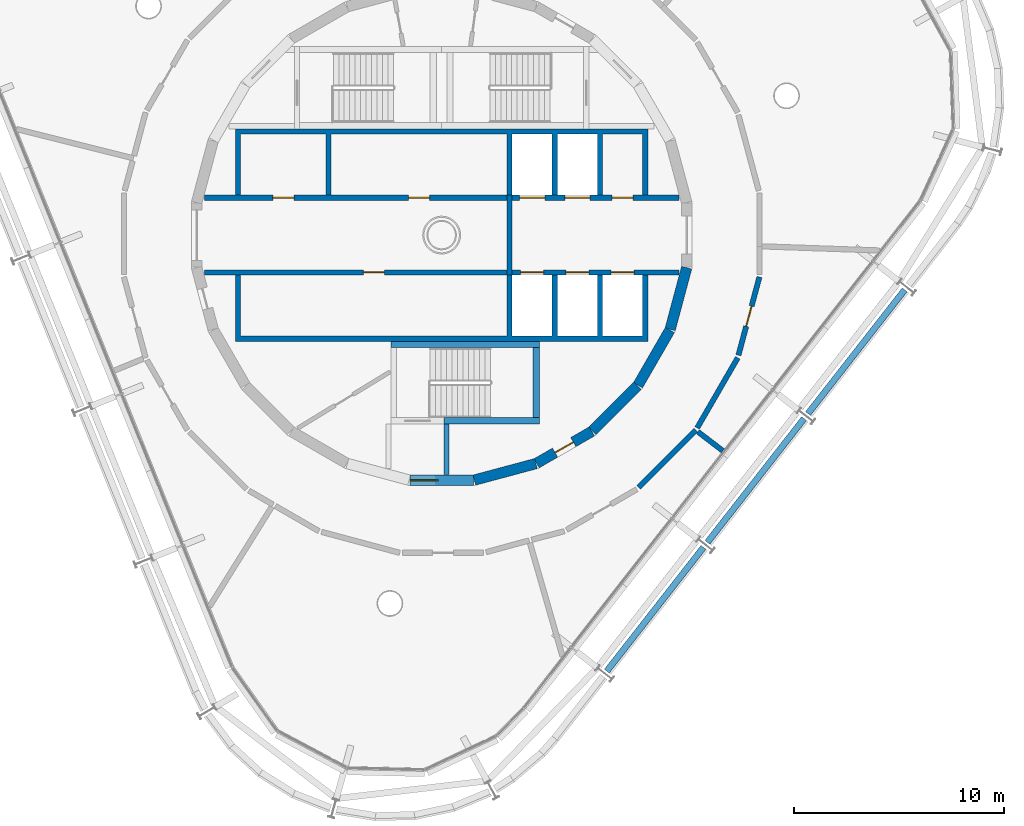
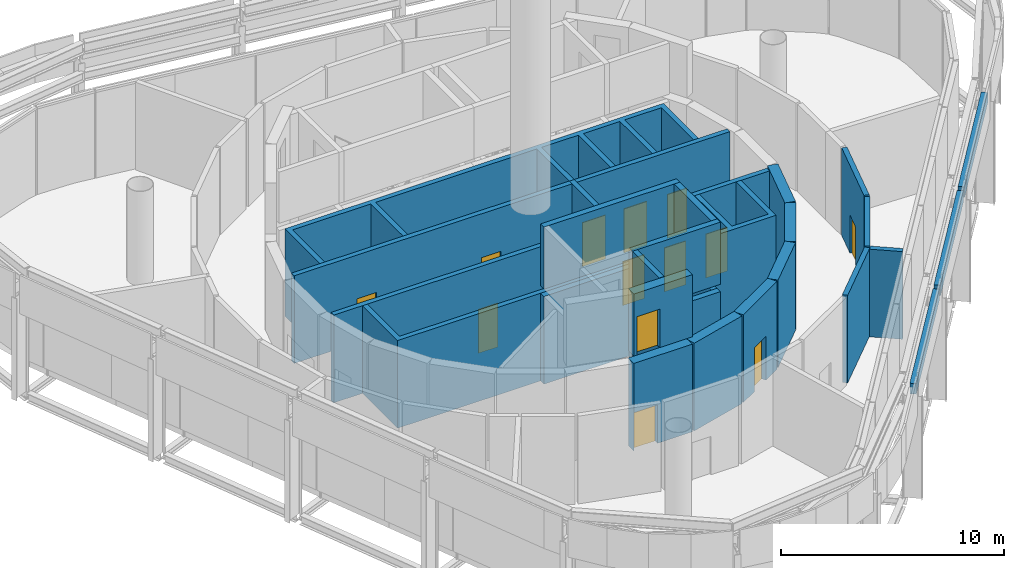
# One storey, part 10 of 15: 29 walls, 13 doors, 13 openings.
"""IFC4 building model written with IfcOpenShell, lengths in metres."""

from ifc_helpers import new_model, si_unit, direction, frame, frame_2d, origin, place, context, subcontext, project, spatial, polyline, rectangle, outline, extrude, material, layer, layer_set, type_object, element, fill, save


model = new_model("IFC4")

# Units and contexts
model_context = context("Model", 3, precision=1e-05, world=origin(), true_north=direction((0.0, 1.0)))
body_context = subcontext(model_context, "Body", "Model", "MODEL_VIEW")
ifc_project = project(units=[si_unit("LENGTHUNIT", "METRE"), si_unit("AREAUNIT", "SQUARE_METRE"), si_unit("VOLUMEUNIT", "CUBIC_METRE"), si_unit("PLANEANGLEUNIT", "RADIAN"), si_unit("MASSUNIT", "GRAM", prefix="KILO")], contexts=[model_context])

# Site, building, storey
site_placement = place(None, origin())
site = spatial("IfcSite", under=ifc_project, at=site_placement, CompositionType="ELEMENT")
building_placement = place(site_placement, origin())
building = spatial("IfcBuilding", under=site, at=building_placement, Name="Spindle Arch Residences", CompositionType="ELEMENT")
storey_placement = place(building_placement, frame((0.0, 0.0, 366.199951171875)))
storey = spatial("IfcBuildingStorey", under=building, at=storey_placement, Name="L94", CompositionType="ELEMENT", Elevation=366.199951171875)

# Wall
ifc_material_1 = material(Name="Concrete C50/60", Category="concrete")
ifc_layer_1 = layer(ifc_material_1, 0.5)
ifc_layer_set_1 = layer_set([ifc_layer_1], Name="Core outline wall 500")
wall_type_1 = type_object("IfcWallType", Name="Core outline wall 500", PredefinedType="SHEAR", material=ifc_layer_set_1)
wall_1_placement = place(storey_placement, frame((1.5498046875, -11.642822265625, 0.0), z_axis=(0.0, 0.0, 1.0), x_axis=(0.965948410781, 0.258734743916, 0.0)))
element("IfcWall", 1, at=wall_1_placement, inside=storey, type_object=wall_type_1, Name="Core outline wall 1", PredefinedType="SHEAR", context=body_context, shape_type="SweptSolid", body=[
    extrude(rectangle(XDim=3.03271484375, YDim=0.5, at=frame_2d((1.516357421875, 0.0))), origin(), (0.0, 0.0, 1.0), 4.800048828125),
])

# Wall, opening, door
wall_2_placement = place(storey_placement, frame((4.510498046875, -10.84521484375, 0.0), z_axis=(0.0, 0.0, 1.0), x_axis=(0.865975092491, 0.500087131594, 0.0)))
wall_2 = element("IfcWall", 2, at=wall_2_placement, inside=storey, type_object=wall_type_1, Name="Core outline wall 2", PredefinedType="SHEAR", context=body_context, shape_type="SweptSolid", body=[
    extrude(rectangle(XDim=3.03271484375, YDim=0.5, at=frame_2d((1.516357421875, 0.0))), origin(), (0.0, 0.0, 1.0), 4.800048828125),
])
opening_1_placement = place(wall_2_placement, frame((1.016357421875, 0.0, 0.0)))
opening_1 = element("IfcOpeningElement", 3, at=opening_1_placement, cuts=wall_2, Name="Opening L94-PD08", PredefinedType="OPENING", context=body_context, shape_type="SweptSolid", body=[
    extrude(rectangle(XDim=1.0, YDim=2.39990234375, at=frame_2d((0.5, 1.199951171875))), frame((0.0, 0.260009765625, 0.0), z_axis=(0.0, -1.0, 0.0), x_axis=(1.0, 0.0, 0.0)), (0.0, 0.0, 1.0), 0.52001953125),
])
ifc_material_2 = material(Name="Steel, fire-resisting door", Category="steel")
door_type_1 = type_object("IfcDoorType", Name="Plant room door 1000x2400", OperationType="SINGLE_SWING_LEFT", PredefinedType="DOOR", material=ifc_material_2)
door_1_placement = place(opening_1_placement, origin())
door_1 = element("IfcDoor", 4, at=door_1_placement, inside=storey, type_object=door_type_1, Name="Plant room door L94-PD08", OperationType="SINGLE_SWING_LEFT", OverallHeight=2.39990234375, OverallWidth=1.0, PredefinedType="DOOR", context=body_context, shape_type="SweptSolid", body=[
    extrude(rectangle(XDim=1.0, YDim=2.39990234375, at=frame_2d((0.5, 1.199951171875))), frame((0.0, 0.02490234375, 0.0), z_axis=(0.0, -1.0, 0.0), x_axis=(1.0, 0.0, 0.0)), (0.0, 0.0, 1.0), 0.050048828125),
])
fill(opening_1, door_1)

# Walls
wall_3_placement = place(storey_placement, frame((7.163818359375, -9.30810546875, 0.0), z_axis=(0.0, 0.0, 1.0), x_axis=(0.707106781187, 0.707106781187, 0.0)))
element("IfcWall", 5, at=wall_3_placement, inside=storey, type_object=wall_type_1, Name="Core outline wall 3", PredefinedType="SHEAR", context=body_context, shape_type="SweptSolid", body=[
    extrude(rectangle(XDim=3.032470703125, YDim=0.5, at=frame_2d((1.51611328125, 0.0))), origin(), (0.0, 0.0, 1.0), 4.800048828125),
])
for number, where, z_axis, x_axis, name in (
    (6, (9.32861328125, -7.13671875, 0.0), (0.0, 0.0, 1.0), (0.500087131594, 0.865975092491, 0.0), "Core outline wall 4"),
    (7, (10.858154296875, -4.479248046875, 0.0), (0.0, 0.0, 1.0), (0.258734743916, 0.965948410781, 0.0), "Core outline wall 5"),
):
    element("IfcWall", number, at=place(storey_placement, frame(where, z_axis=z_axis, x_axis=x_axis)), inside=storey, type_object=wall_type_1, Name=name, PredefinedType="SHEAR", context=body_context, shape_type="SweptSolid", body=[
        extrude(rectangle(XDim=3.03271484375, YDim=0.5, at=frame_2d((1.516357421875, 0.0))), origin(), (0.0, 0.0, 1.0), 4.800048828125),
    ])

# Wall, opening, door
wall_4_placement = place(storey_placement, frame((-1.516357421875, -11.647216796875, 0.0), z_axis=(0.0, 0.0, 1.0), x_axis=(1.0, 0.0, 0.0)))
wall_4 = element("IfcWall", 8, at=wall_4_placement, inside=storey, type_object=wall_type_1, Name="Core outline wall 24", PredefinedType="SHEAR", context=body_context, shape_type="SweptSolid", body=[
    extrude(rectangle(XDim=3.03271484375, YDim=0.5, at=frame_2d((1.516357421875, 0.0))), origin(), (0.0, 0.0, 1.0), 4.800048828125),
])
opening_2_placement = place(wall_4_placement, frame((0.016357421875, 0.0, 0.0)))
opening_2 = element("IfcOpeningElement", 9, at=opening_2_placement, cuts=wall_4, Name="Opening L94-AD03", PredefinedType="OPENING", context=body_context, shape_type="SweptSolid", body=[
    extrude(rectangle(XDim=1.199951171875, YDim=2.10009765625, at=frame_2d((0.60009765625, 1.050048828125))), frame((0.0, 0.260009765625, 0.0), z_axis=(0.0, -1.0, 0.0), x_axis=(1.0, 0.0, 0.0)), (0.0, 0.0, 1.0), 0.52001953125),
])
ifc_material_3 = material(Name="Steel, fire-resisting door", Category="steel")
door_type_2 = type_object("IfcDoorType", Name="Stair airlock door 1200x2100", OperationType="SINGLE_SWING_LEFT", PredefinedType="DOOR", material=ifc_material_3)
door_2_placement = place(opening_2_placement, origin())
door_2 = element("IfcDoor", 10, at=door_2_placement, inside=storey, type_object=door_type_2, Name="Stair airlock door L94-AD03", OperationType="SINGLE_SWING_RIGHT", OverallHeight=2.10009765625, OverallWidth=1.199951171875, PredefinedType="DOOR", context=body_context, shape_type="SweptSolid", body=[
    extrude(rectangle(XDim=1.199951171875, YDim=2.10009765625, at=frame_2d((0.60009765625, 1.050048828125))), frame((0.0, 0.02490234375, 0.0), z_axis=(0.0, -1.0, 0.0), x_axis=(1.0, 0.0, 0.0)), (0.0, 0.0, 1.0), 0.050048828125),
])
fill(opening_2, door_2)

wall_5_placement = place(storey_placement, frame((-1.516357421875, -11.647216796875, 5.199951171875), z_axis=(0.0, 0.0, 1.0), x_axis=(1.0, 0.0, 0.0)))
wall_5 = element("IfcWall", 11, at=wall_5_placement, inside=storey, type_object=wall_type_1, Name="Head-house ST-3 outer wall", PredefinedType="SHEAR", context=body_context, shape_type="SweptSolid", body=[
    extrude(rectangle(XDim=3.03271484375, YDim=0.5, at=frame_2d((1.516357421875, 0.0))), origin(), (0.0, 0.0, 1.0), 3.400146484375),
])
opening_3_placement = place(wall_5_placement, frame((0.14990234375, 0.0, 0.0)))
opening_3 = element("IfcOpeningElement", 12, at=opening_3_placement, cuts=wall_5, Name="Opening L94-RD03", PredefinedType="OPENING", context=body_context, shape_type="SweptSolid", body=[
    extrude(rectangle(XDim=1.199951171875, YDim=2.10009765625, at=frame_2d((0.60009765625, 1.050048828125))), frame((0.0, 0.260009765625, 0.0), z_axis=(0.0, -1.0, 0.0), x_axis=(1.0, 0.0, 0.0)), (0.0, 0.0, 1.0), 0.52001953125),
])
ifc_material_4 = material(Name="Steel, fire-resisting door", Category="steel")
door_type_3 = type_object("IfcDoorType", Name="Roof exit door 1200x2100", OperationType="SINGLE_SWING_LEFT", PredefinedType="DOOR", material=ifc_material_4)
door_3_placement = place(opening_3_placement, origin())
door_3 = element("IfcDoor", 13, at=door_3_placement, inside=storey, type_object=door_type_3, Name="Roof exit door L94-RD03", OperationType="SINGLE_SWING_LEFT", OverallHeight=2.10009765625, OverallWidth=1.199951171875, PredefinedType="DOOR", context=body_context, shape_type="SweptSolid", body=[
    extrude(rectangle(XDim=1.199951171875, YDim=2.10009765625, at=frame_2d((0.60009765625, 1.050048828125))), frame((0.0, 0.02490234375, 0.0), z_axis=(0.0, -1.0, 0.0), x_axis=(1.0, 0.0, 0.0)), (0.0, 0.0, 1.0), 0.050048828125),
])
fill(opening_3, door_3)

# Walls
ifc_material_5 = material(Name="Concrete C40/50", Category="concrete")
ifc_layer_2 = layer(ifc_material_5, 0.300048828125)
ifc_layer_set_2 = layer_set([ifc_layer_2], Name="Crown parapet infill 580")
wall_type_2 = type_object("IfcWallType", Name="Crown parapet infill 580", PredefinedType="PARAPET", material=ifc_layer_set_2)
wall_6_placement = place(storey_placement, frame((17.406494140625, -8.481689453125, 5.199951171875), z_axis=(0.0, 0.0, 1.0), x_axis=(0.615664349679, 0.788008507907, 0.0)))
element("IfcWall", 14, at=wall_6_placement, inside=storey, type_object=wall_type_2, Name="Crown parapet infill 1.1", PredefinedType="PARAPET", context=body_context, shape_type="SweptSolid", body=[
    extrude(rectangle(XDim=7.46533203125, YDim=0.300048828125, at=frame_2d((3.732666015625, 0.0))), origin(), (0.0, 0.0, 1.0), 0.580078125),
])
for number, where, z_axis, x_axis, name in (
    (15, (7.844482421875, -20.720458984375, 5.199951171875), (0.0, 0.0, 1.0), (0.615684656159, 0.787992642206, 0.0), "Crown parapet infill 19.1"),
    (16, (12.62548828125, -14.601318359375, 5.199951171875), (0.0, 0.0, 1.0), (0.615648484204, 0.788020903211, 0.0), "Crown parapet infill 20.1"),
):
    element("IfcWall", number, at=place(storey_placement, frame(where, z_axis=z_axis, x_axis=x_axis)), inside=storey, type_object=wall_type_2, Name=name, PredefinedType="PARAPET", context=body_context, shape_type="SweptSolid", body=[
        extrude(rectangle(XDim=7.465576171875, YDim=0.300048828125, at=frame_2d((3.73291015625, 0.0))), origin(), (0.0, 0.0, 1.0), 0.580078125),
    ])

# Wall, openings, doors
ifc_material_6 = material(Name="Concrete C40/50", Category="concrete")
ifc_layer_3 = layer(ifc_material_6, 0.25)
ifc_layer_set_3 = layer_set([ifc_layer_3], Name="Fire-lift lobby wall 250")
wall_type_3 = type_object("IfcWallType", Name="Fire-lift lobby wall 250", PredefinedType="SHEAR", material=ifc_layer_set_3)
wall_7_placement = place(storey_placement, frame((3.35009765625, 1.77490234375, 0.0), z_axis=(0.0, 0.0, 1.0), x_axis=(1.0, 0.0, 0.0)))
wall_7 = element("IfcWall", 17, at=wall_7_placement, inside=storey, type_object=wall_type_3, Name="Lift shaft front wall NE", PredefinedType="SHEAR", context=body_context, shape_type="SweptSolid", body=[
    extrude(rectangle(XDim=7.929931640625, YDim=0.25, at=frame_2d((3.96484375, 0.0))), origin(), (0.0, 0.0, 1.0), 4.800048828125),
])
opening_4_placement = place(wall_7_placement, frame((0.35009765625, 0.0, 0.0)))
opening_4 = element("IfcOpeningElement", 18, at=opening_4_placement, cuts=wall_7, Name="Opening L94-SLD01", PredefinedType="OPENING", context=body_context, shape_type="SweptSolid", body=[
    extrude(rectangle(XDim=1.199951171875, YDim=2.39990234375, at=frame_2d((0.60009765625, 1.199951171875))), frame((0.0, 0.135009765625, 0.0), z_axis=(0.0, -1.0, 0.0), x_axis=(1.0, 0.0, 0.0)), (0.0, 0.0, 1.0), 0.27001953125),
])
opening_5_placement = place(wall_7_placement, frame((2.5, 0.0, 0.0)))
opening_5 = element("IfcOpeningElement", 19, at=opening_5_placement, cuts=wall_7, Name="Opening L94-SLD02", PredefinedType="OPENING", context=body_context, shape_type="SweptSolid", body=[
    extrude(rectangle(XDim=1.199951171875, YDim=2.39990234375, at=frame_2d((0.60009765625, 1.199951171875))), frame((0.0, 0.135009765625, 0.0), z_axis=(0.0, -1.0, 0.0), x_axis=(1.0, 0.0, 0.0)), (0.0, 0.0, 1.0), 0.27001953125),
])
opening_6_placement = place(wall_7_placement, frame((4.75, 0.0, 0.0)))
opening_6 = element("IfcOpeningElement", 20, at=opening_6_placement, cuts=wall_7, Name="Opening L94-PD03", PredefinedType="OPENING", context=body_context, shape_type="SweptSolid", body=[
    extrude(rectangle(XDim=1.0, YDim=2.39990234375, at=frame_2d((0.5, 1.199951171875))), frame((0.0, 0.135009765625, 0.0), z_axis=(0.0, -1.0, 0.0), x_axis=(1.0, 0.0, 0.0)), (0.0, 0.0, 1.0), 0.27001953125),
])
door_4_placement = place(opening_6_placement, origin())
door_4 = element("IfcDoor", 21, at=door_4_placement, inside=storey, type_object=door_type_1, Name="Plant room door L94-PD03", OperationType="SINGLE_SWING_RIGHT", OverallHeight=2.39990234375, OverallWidth=1.0, PredefinedType="DOOR", context=body_context, shape_type="SweptSolid", body=[
    extrude(rectangle(XDim=1.0, YDim=2.39990234375, at=frame_2d((0.5, 1.199951171875))), frame((0.0, 0.02490234375, 0.0), z_axis=(0.0, -1.0, 0.0), x_axis=(1.0, 0.0, 0.0)), (0.0, 0.0, 1.0), 0.050048828125),
])
fill(opening_6, door_4)
ifc_material_7 = material(Name="Steel, fire-resisting landing door", Category="steel")
door_type_4 = type_object("IfcDoorType", Name="Service lift landing door 1200x2400", OperationType="DOUBLE_DOOR_SLIDING", PredefinedType="DOOR", material=ifc_material_7)
door_5_placement = place(opening_4_placement, origin())
door_5 = element("IfcDoor", 22, at=door_5_placement, inside=storey, type_object=door_type_4, Name="Service lift landing door L94-SLD01", OperationType="DOUBLE_DOOR_SLIDING", OverallHeight=2.39990234375, OverallWidth=1.199951171875, PredefinedType="DOOR", context=body_context, shape_type="SweptSolid", body=[
    extrude(rectangle(XDim=1.199951171875, YDim=2.39990234375, at=frame_2d((0.60009765625, 1.199951171875))), frame((0.0, 0.02490234375, 0.0), z_axis=(0.0, -1.0, 0.0), x_axis=(1.0, 0.0, 0.0)), (0.0, 0.0, 1.0), 0.050048828125),
])
fill(opening_4, door_5)
door_6_placement = place(opening_5_placement, origin())
door_6 = element("IfcDoor", 23, at=door_6_placement, inside=storey, type_object=door_type_4, Name="Service lift landing door L94-SLD02", OperationType="DOUBLE_DOOR_SLIDING", OverallHeight=2.39990234375, OverallWidth=1.199951171875, PredefinedType="DOOR", context=body_context, shape_type="SweptSolid", body=[
    extrude(rectangle(XDim=1.199951171875, YDim=2.39990234375, at=frame_2d((0.60009765625, 1.199951171875))), frame((0.0, 0.02490234375, 0.0), z_axis=(0.0, -1.0, 0.0), x_axis=(1.0, 0.0, 0.0)), (0.0, 0.0, 1.0), 0.050048828125),
])
fill(opening_5, door_6)

# Wall
wall_8_placement = place(storey_placement, frame((3.22509765625, -1.89990234375, 0.0), z_axis=(0.0, 0.0, 1.0), x_axis=(0.0, 1.0, 0.0)))
element("IfcWall", 24, at=wall_8_placement, inside=storey, type_object=wall_type_3, Name="Fire-fighting lobby partition", PredefinedType="SHEAR", context=body_context, shape_type="SweptSolid", body=[
    extrude(rectangle(XDim=3.7998046875, YDim=0.25, at=frame_2d((1.89990234375, 0.0))), origin(), (0.0, 0.0, 1.0), 4.800048828125),
])

# Wall, openings, doors
ifc_material_8 = material(Name="Concrete C50/60", Category="concrete")
ifc_layer_4 = layer(ifc_material_8, 0.25)
ifc_layer_set_4 = layer_set([ifc_layer_4], Name="Fire-lift shaft wall 250")
wall_type_4 = type_object("IfcWallType", Name="Fire-lift shaft wall 250", PredefinedType="SHEAR", material=ifc_layer_set_4)
wall_9_placement = place(storey_placement, frame((3.35009765625, -1.77490234375, 0.0), z_axis=(0.0, 0.0, 1.0), x_axis=(1.0, 0.0, 0.0)))
wall_9 = element("IfcWall", 25, at=wall_9_placement, inside=storey, type_object=wall_type_4, Name="Lift shaft front wall SE", PredefinedType="SHEAR", context=body_context, shape_type="SweptSolid", body=[
    extrude(rectangle(XDim=7.929931640625, YDim=0.25, at=frame_2d((3.96484375, 0.0))), origin(), (0.0, 0.0, 1.0), 4.800048828125),
])
opening_7_placement = place(wall_9_placement, frame((0.39990234375, 0.0, 0.0)))
opening_7 = element("IfcOpeningElement", 26, at=opening_7_placement, cuts=wall_9, Name="Opening L94-FLD01", PredefinedType="OPENING", context=body_context, shape_type="SweptSolid", body=[
    extrude(rectangle(XDim=1.10009765625, YDim=2.39990234375, at=frame_2d((0.550048828125, 1.199951171875))), frame((0.0, 0.135009765625, 0.0), z_axis=(0.0, -1.0, 0.0), x_axis=(1.0, 0.0, 0.0)), (0.0, 0.0, 1.0), 0.27001953125),
])
opening_8_placement = place(wall_9_placement, frame((2.550048828125, 0.0, 0.0)))
opening_8 = element("IfcOpeningElement", 27, at=opening_8_placement, cuts=wall_9, Name="Opening L94-FLD02", PredefinedType="OPENING", context=body_context, shape_type="SweptSolid", body=[
    extrude(rectangle(XDim=1.10009765625, YDim=2.39990234375, at=frame_2d((0.550048828125, 1.199951171875))), frame((0.0, 0.135009765625, 0.0), z_axis=(0.0, -1.0, 0.0), x_axis=(1.0, 0.0, 0.0)), (0.0, 0.0, 1.0), 0.27001953125),
])
opening_9_placement = place(wall_9_placement, frame((4.699951171875, 0.0, 0.0)))
opening_9 = element("IfcOpeningElement", 28, at=opening_9_placement, cuts=wall_9, Name="Opening L94-FLD03", PredefinedType="OPENING", context=body_context, shape_type="SweptSolid", body=[
    extrude(rectangle(XDim=1.10009765625, YDim=2.39990234375, at=frame_2d((0.550048828125, 1.199951171875))), frame((0.0, 0.135009765625, 0.0), z_axis=(0.0, -1.0, 0.0), x_axis=(1.0, 0.0, 0.0)), (0.0, 0.0, 1.0), 0.27001953125),
])
ifc_material_9 = material(Name="Steel, fire-resisting landing door", Category="steel")
door_type_5 = type_object("IfcDoorType", Name="Fire-fighting lift landing door 1100x2400", OperationType="DOUBLE_DOOR_SLIDING", PredefinedType="DOOR", material=ifc_material_9)
door_7_placement = place(opening_7_placement, origin())
door_7 = element("IfcDoor", 29, at=door_7_placement, inside=storey, type_object=door_type_5, Name="Fire-fighting lift landing door L94-FLD01", OperationType="DOUBLE_DOOR_SLIDING", OverallHeight=2.39990234375, OverallWidth=1.10009765625, PredefinedType="DOOR", context=body_context, shape_type="SweptSolid", body=[
    extrude(rectangle(XDim=1.10009765625, YDim=2.39990234375, at=frame_2d((0.550048828125, 1.199951171875))), frame((0.0, 0.02490234375, 0.0), z_axis=(0.0, -1.0, 0.0), x_axis=(1.0, 0.0, 0.0)), (0.0, 0.0, 1.0), 0.050048828125),
])
fill(opening_7, door_7)
door_8_placement = place(opening_8_placement, origin())
door_8 = element("IfcDoor", 30, at=door_8_placement, inside=storey, type_object=door_type_5, Name="Fire-fighting lift landing door L94-FLD02", OperationType="DOUBLE_DOOR_SLIDING", OverallHeight=2.39990234375, OverallWidth=1.10009765625, PredefinedType="DOOR", context=body_context, shape_type="SweptSolid", body=[
    extrude(rectangle(XDim=1.10009765625, YDim=2.39990234375, at=frame_2d((0.550048828125, 1.199951171875))), frame((0.0, 0.02490234375, 0.0), z_axis=(0.0, -1.0, 0.0), x_axis=(1.0, 0.0, 0.0)), (0.0, 0.0, 1.0), 0.050048828125),
])
fill(opening_8, door_8)
door_9_placement = place(opening_9_placement, origin())
door_9 = element("IfcDoor", 31, at=door_9_placement, inside=storey, type_object=door_type_5, Name="Fire-fighting lift landing door L94-FLD03", OperationType="DOUBLE_DOOR_SLIDING", OverallHeight=2.39990234375, OverallWidth=1.10009765625, PredefinedType="DOOR", context=body_context, shape_type="SweptSolid", body=[
    extrude(rectangle(XDim=1.10009765625, YDim=2.39990234375, at=frame_2d((0.550048828125, 1.199951171875))), frame((0.0, 0.02490234375, 0.0), z_axis=(0.0, -1.0, 0.0), x_axis=(1.0, 0.0, 0.0)), (0.0, 0.0, 1.0), 0.050048828125),
])
fill(opening_9, door_9)

ifc_material_10 = material(Name="Concrete C50/60", Category="concrete")
ifc_layer_5 = layer(ifc_material_10, 0.25)
ifc_layer_set_5 = layer_set([ifc_layer_5], Name="Lift shaft wall 250")
wall_type_5 = type_object("IfcWallType", Name="Lift shaft wall 250", PredefinedType="SHEAR", material=ifc_layer_set_5)
wall_10_placement = place(storey_placement, frame((-11.280029296875, 1.77490234375, 0.0), z_axis=(0.0, 0.0, 1.0), x_axis=(1.0, 0.0, 0.0)))
wall_10 = element("IfcWall", 32, at=wall_10_placement, inside=storey, type_object=wall_type_5, Name="Lift shaft front wall NW", PredefinedType="SHEAR", context=body_context, shape_type="SweptSolid", body=[
    extrude(rectangle(XDim=14.380126953125, YDim=0.25, at=frame_2d((7.18994140625, 0.0))), origin(), (0.0, 0.0, 1.0), 4.800048828125),
])
opening_10_placement = place(wall_10_placement, frame((3.2548828125, 0.0, 0.0)))
opening_10 = element("IfcOpeningElement", 33, at=opening_10_placement, cuts=wall_10, Name="Opening L94-PD01", PredefinedType="OPENING", context=body_context, shape_type="SweptSolid", body=[
    extrude(rectangle(XDim=1.0, YDim=2.39990234375, at=frame_2d((0.5, 1.199951171875))), frame((0.0, 0.135009765625, 0.0), z_axis=(0.0, -1.0, 0.0), x_axis=(1.0, 0.0, 0.0)), (0.0, 0.0, 1.0), 0.27001953125),
])
opening_11_placement = place(wall_10_placement, frame((9.705078125, 0.0, 0.0)))
opening_11 = element("IfcOpeningElement", 34, at=opening_11_placement, cuts=wall_10, Name="Opening L94-PD02", PredefinedType="OPENING", context=body_context, shape_type="SweptSolid", body=[
    extrude(rectangle(XDim=1.0, YDim=2.39990234375, at=frame_2d((0.5, 1.199951171875))), frame((0.0, 0.135009765625, 0.0), z_axis=(0.0, -1.0, 0.0), x_axis=(1.0, 0.0, 0.0)), (0.0, 0.0, 1.0), 0.27001953125),
])
door_10_placement = place(opening_10_placement, origin())
door_10 = element("IfcDoor", 35, at=door_10_placement, inside=storey, type_object=door_type_1, Name="Plant room door L94-PD01", OperationType="SINGLE_SWING_RIGHT", OverallHeight=2.39990234375, OverallWidth=1.0, PredefinedType="DOOR", context=body_context, shape_type="SweptSolid", body=[
    extrude(rectangle(XDim=1.0, YDim=2.39990234375, at=frame_2d((0.5, 1.199951171875))), frame((0.0, 0.02490234375, 0.0), z_axis=(0.0, -1.0, 0.0), x_axis=(1.0, 0.0, 0.0)), (0.0, 0.0, 1.0), 0.050048828125),
])
fill(opening_10, door_10)
door_11_placement = place(opening_11_placement, origin())
door_11 = element("IfcDoor", 36, at=door_11_placement, inside=storey, type_object=door_type_1, Name="Plant room door L94-PD02", OperationType="SINGLE_SWING_LEFT", OverallHeight=2.39990234375, OverallWidth=1.0, PredefinedType="DOOR", context=body_context, shape_type="SweptSolid", body=[
    extrude(rectangle(XDim=1.0, YDim=2.39990234375, at=frame_2d((0.5, 1.199951171875))), frame((0.0, 0.02490234375, 0.0), z_axis=(0.0, -1.0, 0.0), x_axis=(1.0, 0.0, 0.0)), (0.0, 0.0, 1.0), 0.050048828125),
])
fill(opening_11, door_11)

# Wall, opening, door
wall_11_placement = place(storey_placement, frame((-11.280029296875, -1.77490234375, 0.0), z_axis=(0.0, 0.0, 1.0), x_axis=(1.0, 0.0, 0.0)))
wall_11 = element("IfcWall", 37, at=wall_11_placement, inside=storey, type_object=wall_type_5, Name="Lift shaft front wall SW", PredefinedType="SHEAR", context=body_context, shape_type="SweptSolid", body=[
    extrude(rectangle(XDim=14.380126953125, YDim=0.25, at=frame_2d((7.18994140625, 0.0))), origin(), (0.0, 0.0, 1.0), 4.800048828125),
])
opening_12_placement = place(wall_11_placement, frame((7.554931640625, 0.0, 0.0)))
opening_12 = element("IfcOpeningElement", 38, at=opening_12_placement, cuts=wall_11, Name="Opening L94-PD04", PredefinedType="OPENING", context=body_context, shape_type="SweptSolid", body=[
    extrude(rectangle(XDim=1.0, YDim=2.39990234375, at=frame_2d((0.5, 1.199951171875))), frame((0.0, 0.135009765625, 0.0), z_axis=(0.0, -1.0, 0.0), x_axis=(1.0, 0.0, 0.0)), (0.0, 0.0, 1.0), 0.27001953125),
])
door_12_placement = place(opening_12_placement, origin())
door_12 = element("IfcDoor", 39, at=door_12_placement, inside=storey, type_object=door_type_1, Name="Plant room door L94-PD04", OperationType="SINGLE_SWING_LEFT", OverallHeight=2.39990234375, OverallWidth=1.0, PredefinedType="DOOR", context=body_context, shape_type="SweptSolid", body=[
    extrude(rectangle(XDim=1.0, YDim=2.39990234375, at=frame_2d((0.5, 1.199951171875))), frame((0.0, 0.02490234375, 0.0), z_axis=(0.0, -1.0, 0.0), x_axis=(1.0, 0.0, 0.0)), (0.0, 0.0, 1.0), 0.050048828125),
])
fill(opening_12, door_12)

# Walls
ifc_material_11 = material(Name="Concrete C50/60", Category="concrete")
wall_type_6 = type_object("IfcWallType", Name="Lift shaft wall profile", PredefinedType="SHEAR", material=ifc_material_11)
wall_12_placement = place(storey_placement, origin())
element("IfcWall", 40, at=wall_12_placement, inside=storey, type_object=wall_type_6, Name="Lift shaft walls N", PredefinedType="SHEAR", context=body_context, shape_type="SweptSolid", body=[
    extrude(outline(polyline([(-9.800048828125, 1.89990234375), (-9.550048828125, 1.89990234375), (-9.550048828125, 4.800048828125), (-5.5, 4.800048828125), (-5.5, 1.89990234375), (-5.25, 1.89990234375), (-5.25, 4.800048828125), (3.10009765625, 4.800048828125), (3.10009765625, 1.89990234375), (3.35009765625, 1.89990234375), (3.35009765625, 4.800048828125), (5.25, 4.800048828125), (5.25, 1.89990234375), (5.5, 1.89990234375), (5.5, 4.800048828125), (7.39990234375, 4.800048828125), (7.39990234375, 1.89990234375), (7.64990234375, 1.89990234375), (7.64990234375, 4.800048828125), (9.550048828125, 4.800048828125), (9.550048828125, 1.89990234375), (9.800048828125, 1.89990234375), (9.800048828125, 4.800048828125), (9.800048828125, 5.050048828125), (-9.800048828125, 5.050048828125), (-9.800048828125, 4.800048828125), (-9.800048828125, 1.89990234375)])), origin(), (0.0, 0.0, 1.0), 4.800048828125),
])
wall_13_placement = place(storey_placement, origin())
element("IfcWall", 41, at=wall_13_placement, inside=storey, type_object=wall_type_6, Name="Lift shaft walls S", PredefinedType="SHEAR", context=body_context, shape_type="SweptSolid", body=[
    extrude(outline(polyline([(9.800048828125, -4.800048828125), (9.800048828125, -1.89990234375), (9.550048828125, -1.89990234375), (9.550048828125, -4.800048828125), (7.64990234375, -4.800048828125), (7.64990234375, -1.89990234375), (7.39990234375, -1.89990234375), (7.39990234375, -4.800048828125), (5.5, -4.800048828125), (5.5, -1.89990234375), (5.25, -1.89990234375), (5.25, -4.800048828125), (3.35009765625, -4.800048828125), (3.35009765625, -1.89990234375), (3.10009765625, -1.89990234375), (3.10009765625, -4.800048828125), (-9.550048828125, -4.800048828125), (-9.550048828125, -1.89990234375), (-9.800048828125, -1.89990234375), (-9.800048828125, -4.800048828125), (-9.800048828125, -5.050048828125), (9.800048828125, -5.050048828125), (9.800048828125, -4.800048828125)])), origin(), (0.0, 0.0, 1.0), 4.800048828125),
])
ifc_material_12 = material(Name="Concrete C25/30 wall", Category="concrete")
ifc_layer_6 = layer(ifc_material_12, 0.25)
ifc_layer_set_6 = layer_set([ifc_layer_6], Name="Partition EI 120 250 plant")
wall_type_7 = type_object("IfcWallType", Name="Partition EI 120 250 plant", PredefinedType="PARTITIONING", material=ifc_layer_set_6)
wall_14_placement = place(storey_placement, frame((9.3583984375, -11.99169921875, 0.0), z_axis=(0.0, 0.0, 1.0), x_axis=(0.707106781187, 0.707106781187, 0.0)))
element("IfcWall", 42, at=wall_14_placement, inside=storey, type_object=wall_type_7, Name="L94-W027", PredefinedType="PARTITIONING", context=body_context, shape_type="SweptSolid", body=[
    extrude(rectangle(XDim=3.84912109375, YDim=0.25, at=frame_2d((1.924560546875, 0.0))), origin(), (0.0, 0.0, 1.0), 4.800048828125),
])
ifc_material_13 = material(Name="Concrete C25/30 wall", Category="concrete")
ifc_layer_7 = layer(ifc_material_13, 0.25)
ifc_layer_set_7 = layer_set([ifc_layer_7], Name="Partition EI 150 250 electrical")
wall_type_8 = type_object("IfcWallType", Name="Partition EI 150 250 electrical", PredefinedType="PARTITIONING", material=ifc_layer_set_7)
wall_15_placement = place(storey_placement, frame((12.17919921875, -9.345947265625, 0.0), z_axis=(0.0, 0.0, 1.0), x_axis=(0.794031553294, -0.607876543694, 0.0)))
element("IfcWall", 43, at=wall_15_placement, inside=storey, type_object=wall_type_8, Name="L94-W031", PredefinedType="PARTITIONING", context=body_context, shape_type="SweptSolid", body=[
    extrude(rectangle(XDim=1.4873046875, YDim=0.25, at=frame_2d((0.74365234375, 0.0))), origin(), (0.0, 0.0, 1.0), 4.800048828125),
])
wall_16_placement = place(storey_placement, frame((12.142578125, -9.161865234375, 0.0), z_axis=(0.0, 0.0, 1.0), x_axis=(0.500756218026, 0.865588360659, 0.0)))
element("IfcWall", 44, at=wall_16_placement, inside=storey, type_object=wall_type_8, Name="L94-W032", PredefinedType="PARTITIONING", context=body_context, shape_type="SweptSolid", body=[
    extrude(rectangle(XDim=3.84912109375, YDim=0.25, at=frame_2d((1.924560546875, 0.0))), origin(), (0.0, 0.0, 1.0), 4.800048828125),
])

# Wall, opening, door
wall_17_placement = place(storey_placement, frame((14.102294921875, -5.709228515625, 0.0), z_axis=(0.0, 0.0, 1.0), x_axis=(0.259118468411, 0.965845546311, 0.0)))
wall_17 = element("IfcWall", 45, at=wall_17_placement, inside=storey, type_object=wall_type_8, Name="L94-W034", PredefinedType="PARTITIONING", context=body_context, shape_type="SweptSolid", body=[
    extrude(rectangle(XDim=3.850830078125, YDim=0.25, at=frame_2d((1.92529296875, 0.0))), origin(), (0.0, 0.0, 1.0), 4.800048828125),
])
opening_13_placement = place(wall_17_placement, frame((1.42529296875, 0.0, 0.0)))
opening_13 = element("IfcOpeningElement", 46, at=opening_13_placement, cuts=wall_17, Name="Opening L94-D04", PredefinedType="OPENING", context=body_context, shape_type="SweptSolid", body=[
    extrude(rectangle(XDim=1.0, YDim=2.10009765625, at=frame_2d((0.5, 1.050048828125))), frame((0.0, 0.135009765625, 0.0), z_axis=(0.0, -1.0, 0.0), x_axis=(1.0, 0.0, 0.0)), (0.0, 0.0, 1.0), 0.27001953125),
])
ifc_material_14 = material(Name="Steel door leaf, painted", Category="steel")
door_type_6 = type_object("IfcDoorType", Name="Door 1000x2100 EI 60", OperationType="SINGLE_SWING_LEFT", PredefinedType="DOOR", material=ifc_material_14)
door_13_placement = place(opening_13_placement, origin())
door_13 = element("IfcDoor", 47, at=door_13_placement, inside=storey, type_object=door_type_6, Name="L94-D04", OperationType="SINGLE_SWING_LEFT", OverallHeight=2.10009765625, OverallWidth=1.0, PredefinedType="DOOR", context=body_context, shape_type="SweptSolid", body=[
    extrude(rectangle(XDim=1.0, YDim=2.10009765625, at=frame_2d((0.5, 1.050048828125))), frame((0.0, 0.02490234375, 0.0), z_axis=(0.0, -1.0, 0.0), x_axis=(1.0, 0.0, 0.0)), (0.0, 0.0, 1.0), 0.050048828125),
])
fill(opening_13, door_13)

# Walls
ifc_material_15 = material(Name="Concrete C40/50", Category="concrete")
ifc_layer_8 = layer(ifc_material_15, 0.25)
ifc_layer_set_8 = layer_set([ifc_layer_8], Name="Stair airlock wall 250")
wall_type_9 = type_object("IfcWallType", Name="Stair airlock wall 250", PredefinedType="SHEAR", material=ifc_layer_set_8)
wall_18_placement = place(storey_placement, frame((0.22509765625, -8.969970703125, 0.0), z_axis=(0.0, 0.0, 1.0), x_axis=(0.0, -1.0, 0.0)))
element("IfcWall", 48, at=wall_18_placement, inside=storey, type_object=wall_type_9, Name="Stair ST-3 airlock wall E", PredefinedType="SHEAR", context=body_context, shape_type="SweptSolid", body=[
    extrude(rectangle(XDim=2.409912109375, YDim=0.25, at=frame_2d((1.205078125, 0.0))), origin(), (0.0, 0.0, 1.0), 4.800048828125),
])
wall_19_placement = place(storey_placement, frame((0.22509765625, -8.969970703125, 5.199951171875), z_axis=(0.0, 0.0, 1.0), x_axis=(0.0, -1.0, 0.0)))
element("IfcWall", 49, at=wall_19_placement, inside=storey, type_object=wall_type_9, Name="Head-house ST-3 vestibule wall E", PredefinedType="SHEAR", context=body_context, shape_type="SweptSolid", body=[
    extrude(rectangle(XDim=2.409912109375, YDim=0.25, at=frame_2d((1.205078125, 0.0))), origin(), (0.0, 0.0, 1.0), 3.400146484375),
])
ifc_material_16 = material(Name="Concrete C50/60", Category="concrete")
ifc_layer_9 = layer(ifc_material_16, 0.300048828125)
ifc_layer_set_9 = layer_set([ifc_layer_9], Name="Stair enclosure wall 300")
wall_type_10 = type_object("IfcWallType", Name="Stair enclosure wall 300", PredefinedType="SHEAR", material=ifc_layer_set_9)
wall_20_placement = place(storey_placement, frame((-2.39990234375, -5.199951171875, 0.0), z_axis=(0.0, 0.0, 1.0), x_axis=(1.0, 0.0, 0.0)))
element("IfcWall", 50, at=wall_20_placement, inside=storey, type_object=wall_type_10, Name="Stair ST-3 enclosure wall N", PredefinedType="SHEAR", context=body_context, shape_type="SweptSolid", body=[
    extrude(rectangle(XDim=7.0498046875, YDim=0.300048828125, at=frame_2d((3.52490234375, 0.0))), origin(), (0.0, 0.0, 1.0), 4.800048828125),
])
wall_21_placement = place(storey_placement, frame((4.5, -8.669921875, 0.0), z_axis=(0.0, 0.0, 1.0), x_axis=(0.0, 1.0, 0.0)))
element("IfcWall", 51, at=wall_21_placement, inside=storey, type_object=wall_type_10, Name="Stair ST-3 enclosure wall E", PredefinedType="SHEAR", context=body_context, shape_type="SweptSolid", body=[
    extrude(rectangle(XDim=3.31982421875, YDim=0.300048828125, at=frame_2d((1.659912109375, 0.0))), origin(), (0.0, 0.0, 1.0), 4.800048828125),
])
wall_22_placement = place(storey_placement, frame((0.10009765625, -8.820068359375, 0.0), z_axis=(0.0, 0.0, 1.0), x_axis=(1.0, 0.0, 0.0)))
element("IfcWall", 52, at=wall_22_placement, inside=storey, type_object=wall_type_10, Name="Stair ST-3 enclosure wall S", PredefinedType="SHEAR", context=body_context, shape_type="SweptSolid", body=[
    extrude(rectangle(XDim=4.5498046875, YDim=0.300048828125, at=frame_2d((2.27490234375, 0.0))), origin(), (0.0, 0.0, 1.0), 4.800048828125),
])
wall_23_placement = place(storey_placement, frame((-2.39990234375, -5.199951171875, 5.199951171875), z_axis=(0.0, 0.0, 1.0), x_axis=(1.0, 0.0, 0.0)))
element("IfcWall", 53, at=wall_23_placement, inside=storey, type_object=wall_type_10, Name="Head-house ST-3 wall N", PredefinedType="SHEAR", context=body_context, shape_type="SweptSolid", body=[
    extrude(rectangle(XDim=7.0498046875, YDim=0.300048828125, at=frame_2d((3.52490234375, 0.0))), origin(), (0.0, 0.0, 1.0), 3.400146484375),
])
wall_24_placement = place(storey_placement, frame((4.5, -8.669921875, 5.199951171875), z_axis=(0.0, 0.0, 1.0), x_axis=(0.0, 1.0, 0.0)))
element("IfcWall", 54, at=wall_24_placement, inside=storey, type_object=wall_type_10, Name="Head-house ST-3 wall E", PredefinedType="SHEAR", context=body_context, shape_type="SweptSolid", body=[
    extrude(rectangle(XDim=3.31982421875, YDim=0.300048828125, at=frame_2d((1.659912109375, 0.0))), origin(), (0.0, 0.0, 1.0), 3.400146484375),
])
wall_25_placement = place(storey_placement, frame((0.10009765625, -8.820068359375, 5.199951171875), z_axis=(0.0, 0.0, 1.0), x_axis=(1.0, 0.0, 0.0)))
element("IfcWall", 55, at=wall_25_placement, inside=storey, type_object=wall_type_10, Name="Head-house ST-3 wall S", PredefinedType="SHEAR", context=body_context, shape_type="SweptSolid", body=[
    extrude(rectangle(XDim=4.5498046875, YDim=0.300048828125, at=frame_2d((2.27490234375, 0.0))), origin(), (0.0, 0.0, 1.0), 3.400146484375),
])

save(model, "model.ifc")
